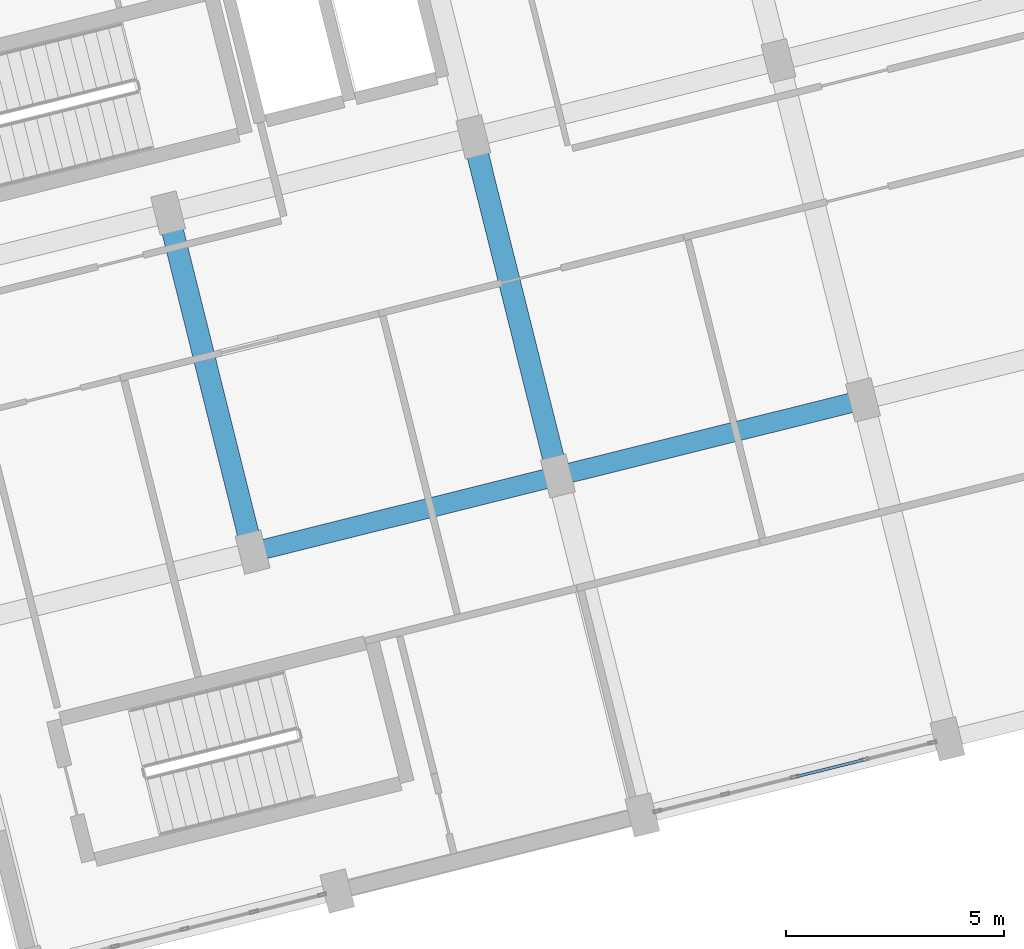
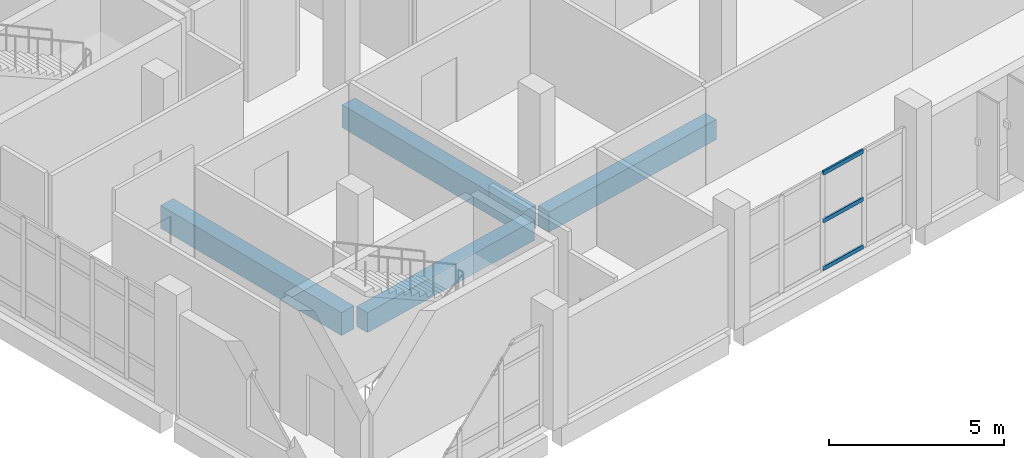
# One storey, part 107 of 164: 4 beams, 3 members, 1 element without a shape of its own.
"""IFC4 building model written with IfcOpenShell, lengths in metres."""

from ifc_helpers import new_model, si_unit, direction, frame, origin, origin_2d, place, context, subcontext, project, spatial, rectangle, hollow_rectangle, extrude, material, layer, layer_set, material_profile, profile_set, type_object, element, aggregate, save


model = new_model("IFC4")

# Units and contexts
model_context = context("Model", 3, precision=1e-05, world=origin(), true_north=direction((0.0, 1.0)))
body_context = subcontext(model_context, "Body", "Model", "MODEL_VIEW")
ifc_project = project(units=[si_unit("LENGTHUNIT", "METRE"), si_unit("AREAUNIT", "SQUARE_METRE"), si_unit("VOLUMEUNIT", "CUBIC_METRE"), si_unit("PLANEANGLEUNIT", "RADIAN"), si_unit("MASSUNIT", "GRAM", prefix="KILO")], contexts=[model_context])

# Site, building, storey
site_placement = place(None, origin())
site = spatial("IfcSite", under=ifc_project, at=site_placement, CompositionType="ELEMENT")
building_placement = place(site_placement, origin())
building = spatial("IfcBuilding", under=site, at=building_placement, Name="Mawjan Specialist Oncology Clinic", CompositionType="ELEMENT")
storey_placement = place(building_placement, frame((0.0, 0.0, 5.0)))
storey = spatial("IfcBuildingStorey", under=building, at=storey_placement, Name="L01", CompositionType="ELEMENT", Elevation=5.0)

# Beams
ifc_material_1 = material(Name="Concrete C40/50", Category="concrete")
ifc_material_profile_1 = material_profile(ifc_material_1, rectangle(XDim=0.449951171875, YDim=0.699951171875, at=origin_2d()), Name="RC BM 450x700", Category="concrete")
ifc_profile_set_1 = profile_set([ifc_material_profile_1], Name="Concrete C40/50")
beam_type_1 = type_object("IfcBeamType", Name="BM-450x700", PredefinedType="BEAM", material=ifc_profile_set_1)
beam_1_placement = place(storey_placement, frame((131.327392578125, 10.373046875, -0.64990234375), z_axis=(0.970291780541, 0.241937720527, 0.0), x_axis=(-0.241937720527, 0.970291780541, 0.0)))
element("IfcBeam", 1, at=beam_1_placement, inside=storey, type_object=beam_type_1, Name="L01 Collector Beam BM-L01-0591", PredefinedType="BEAM", context=body_context, shape_type="SweptSolid", body=[
    extrude(rectangle(XDim=0.449951171875, YDim=0.699951171875, at=origin_2d()), origin(), (0.0, 0.0, 1.0), 6.6298828125),
])
beam_2_placement = place(storey_placement, frame((138.3134765625, 12.114990234375, -0.64990234375), z_axis=(0.970293935913, 0.241929076241, 0.0), x_axis=(-0.241929076241, 0.970293935913, 0.0)))
element("IfcBeam", 2, at=beam_2_placement, inside=storey, type_object=beam_type_1, Name="L01 Collector Beam BM-L01-0592", PredefinedType="BEAM", context=body_context, shape_type="SweptSolid", body=[
    extrude(rectangle(XDim=0.449951171875, YDim=0.699951171875, at=origin_2d()), origin(), (0.0, 0.0, 1.0), 6.630126953125),
])
ifc_material_2 = material(Name="Concrete C45/55", Category="concrete")
ifc_material_profile_2 = material_profile(ifc_material_2, rectangle(XDim=0.5, YDim=0.800048828125, at=origin_2d()), Name="RC BM 500x800", Category="concrete")
ifc_profile_set_2 = profile_set([ifc_material_profile_2], Name="Concrete C45/55")
beam_type_2 = type_object("IfcBeamType", Name="BM-500x800", PredefinedType="BEAM", material=ifc_profile_set_2)
beam_3_placement = place(storey_placement, frame((130.981689453125, 10.580810546875, -0.699951171875), z_axis=(-0.241909317102, 0.970298862361, 0.0), x_axis=(-0.970298862361, -0.241909317102, 0.0)))
element("IfcBeam", 3, at=beam_3_placement, inside=storey, type_object=beam_type_2, Name="L01 Collector Beam BM-L01-0617", PredefinedType="BEAM", context=body_context, shape_type="SweptSolid", body=[
    extrude(rectangle(XDim=0.5, YDim=0.800048828125, at=origin_2d()), origin(), (0.0, 0.0, 1.0), 7.429931640625),
])
beam_4_placement = place(storey_placement, frame((137.968017578125, 12.322509765625, -0.699951171875), z_axis=(-0.241932539519, 0.970293072387, 0.0), x_axis=(-0.970293072387, -0.241932539519, 0.0)))
element("IfcBeam", 4, at=beam_4_placement, inside=storey, type_object=beam_type_2, Name="L01 Collector Beam BM-L01-0621", PredefinedType="BEAM", context=body_context, shape_type="SweptSolid", body=[
    extrude(rectangle(XDim=0.5, YDim=0.800048828125, at=origin_2d()), origin(), (0.0, 0.0, 1.0), 7.43017578125),
])

# Curtain wall, members
ifc_material_3 = material(Name="Unitised spectrally selective aluminium curtain wall", Category="aluminium")
ifc_layer = layer(ifc_material_3, 0.179931640625, Name="Unitised spectrally selective aluminium curtain wall", Category="aluminium")
ifc_layer_set = layer_set([ifc_layer], Name="Unitised spectrally selective aluminium curtain wall")
curtain_wall_type = type_object("IfcCurtainWallType", Name="CW-44", PredefinedType="NOTDEFINED", material=ifc_layer_set)
curtain_wall_placement = place(storey_placement, origin())
curtain_wall = element("IfcCurtainWall", 5, at=curtain_wall_placement, inside=storey, type_object=curtain_wall_type, Name="L01 Unitised Curtain Wall CW-L01-088", PredefinedType="NOTDEFINED")
ifc_material_4 = material(Name="Thermally broken aluminium 6063-T6", Category="aluminium")
ifc_material_profile_3 = material_profile(ifc_material_4, hollow_rectangle(XDim=0.06494140625, YDim=0.139892578125, WallThickness=0.00390625, at=origin_2d()), Name="ALU TRANSOM 140x65x4", Category="aluminium")
ifc_profile_set_3 = profile_set([ifc_material_profile_3], Name="Thermally broken aluminium 6063-T6")
member_type = type_object("IfcMemberType", Name="CW-T140", PredefinedType="USERDEFINED", material=ifc_profile_set_3)
member_1_placement = place(storey_placement, frame((145.025146484375, 5.54345703125, 0.032470703125), z_axis=(-0.970288205236, -0.241952058846, 0.0), x_axis=(0.241952058846, -0.970288205236, 0.0)))
member_1 = element("IfcMember", 6, at=member_1_placement, type_object=member_type, Name="CW-44 transom 2.1", ObjectType="TRANSOM", PredefinedType="USERDEFINED", context=body_context, shape_type="SweptSolid", body=[
    extrude(hollow_rectangle(XDim=0.06494140625, YDim=0.139892578125, WallThickness=0.00390625, at=origin_2d()), origin(), (0.0, 0.0, 1.0), 1.5751953125),
])
member_2_placement = place(storey_placement, frame((145.025146484375, 5.54345703125, 1.6923828125), z_axis=(-0.970288205236, -0.241952058846, 0.0), x_axis=(0.241952058846, -0.970288205236, 0.0)))
member_2 = element("IfcMember", 7, at=member_2_placement, type_object=member_type, Name="CW-44 transom 2.2", ObjectType="TRANSOM", PredefinedType="USERDEFINED", context=body_context, shape_type="SweptSolid", body=[
    extrude(hollow_rectangle(XDim=0.06494140625, YDim=0.139892578125, WallThickness=0.00390625, at=origin_2d()), origin(), (0.0, 0.0, 1.0), 1.5751953125),
])
member_3_placement = place(storey_placement, frame((145.025146484375, 5.54345703125, 3.3525390625), z_axis=(-0.970288205236, -0.241952058846, 0.0), x_axis=(0.241952058846, -0.970288205236, 0.0)))
member_3 = element("IfcMember", 8, at=member_3_placement, type_object=member_type, Name="CW-44 transom 2.3", ObjectType="TRANSOM", PredefinedType="USERDEFINED", context=body_context, shape_type="SweptSolid", body=[
    extrude(hollow_rectangle(XDim=0.06494140625, YDim=0.139892578125, WallThickness=0.00390625, at=origin_2d()), origin(), (0.0, 0.0, 1.0), 1.5751953125),
])
aggregate(curtain_wall, [member_1, member_2, member_3])

save(model, "model.ifc")
